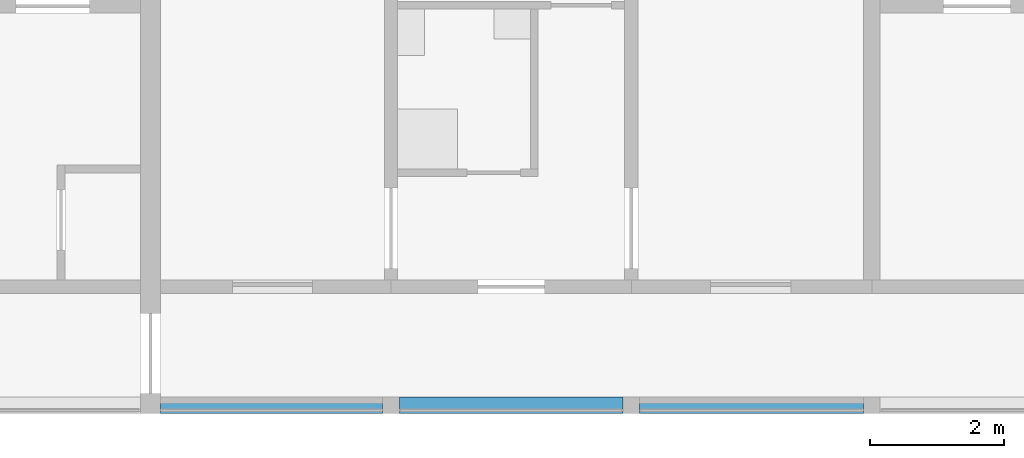
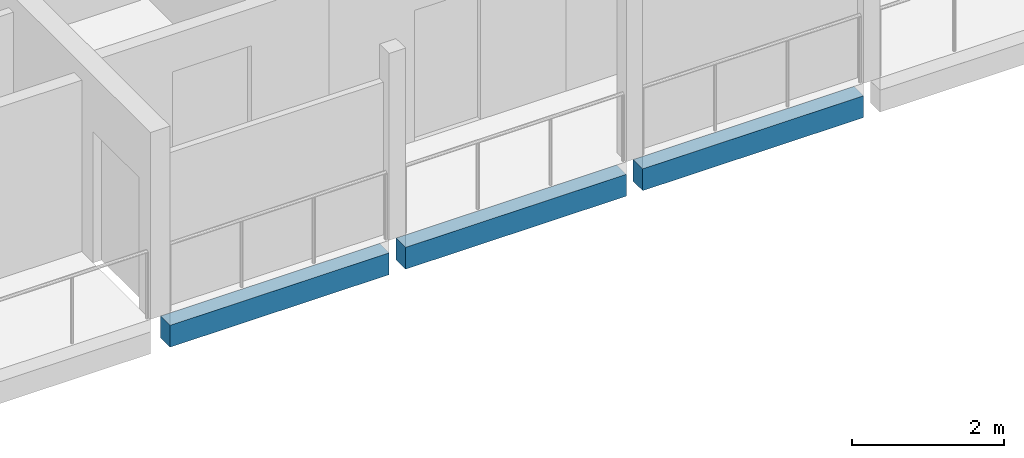
# One storey, part 8 of 55: 3 beams.
"""IFC4 building model written with IfcOpenShell, lengths in metres."""

import ifcopenshell
import ifcopenshell.guid

model = None  # the IFC model being written
_history = None  # IfcOwnerHistory: only IFC2X3 demands one
_inside = {}  # id of a spatial element -> (the spatial element, [elements in it])
_under = {}  # id of a project, library or spatial element -> (it, [spatial elements below it])
_declared = {}  # id of a project -> (the project, [libraries it declares])
_typed = {}  # id of a type object -> (the type object, [elements of that type])
_made_of = {}  # id of a material, layer set ... -> (it, [elements and type objects made of it])


def new_model(schema):
    """Start an empty IFC model of exactly this schema.

    Asked for "IFC4X3", IfcOpenShell would pick the latest addendum, in which some entities
    have other attributes; the version numbers below select the first issue.
    IFC2X3 requires an IfcOwnerHistory on every rooted entity: one is made here for all.
    """
    global model, _history
    if schema == "IFC4X3":
        model = ifcopenshell.file(schema_version=(4, 3, 0, 0))
    else:
        model = ifcopenshell.file(schema=schema)
    _inside.clear()
    _under.clear()
    _declared.clear()
    _typed.clear()
    _made_of.clear()
    _history = None
    if model.schema == "IFC2X3":
        org = make("IfcOrganization", Name="unknown")
        user = make(
            "IfcPersonAndOrganization",
            ThePerson=make("IfcPerson", FamilyName="unknown"),
            TheOrganization=org,
        )
        app = make(
            "IfcApplication",
            ApplicationDeveloper=org,
            Version="unknown",
            ApplicationFullName="unknown",
            ApplicationIdentifier="unknown",
        )
        _history = make(
            "IfcOwnerHistory",
            OwningUser=user,
            OwningApplication=app,
            ChangeAction="ADDED",
            CreationDate=0,
        )
    return model


def make(cls, **values):
    """One entity of the class cls with the attributes given. An attribute that is None is left unset."""
    return model.create_entity(
        cls, **{name: value for name, value in values.items() if value is not None}
    )


def rooted(cls, **values):
    """An entity with a GlobalId (a new one), such as an element, a storey or a relation."""
    return make(cls, GlobalId=ifcopenshell.guid.new(), OwnerHistory=_history, **values)


def si_unit(unit_type, name, prefix=None):
    """IfcSIUnit, for example si_unit("LENGTHUNIT", "METRE", prefix="MILLI")."""
    return make("IfcSIUnit", UnitType=unit_type, Prefix=prefix, Name=name)


def assignment(units):
    """IfcUnitAssignment: the units of a project."""
    return None if units is None else make("IfcUnitAssignment", Units=units)


def point(xyz):
    """IfcCartesianPoint."""
    return None if xyz is None else make("IfcCartesianPoint", Coordinates=xyz)


def direction(xyz):
    """IfcDirection."""
    return None if xyz is None else make("IfcDirection", DirectionRatios=xyz)


def frame(location, z_axis=None, x_axis=None):
    """IfcAxis2Placement3D, a coordinate frame: its origin and axes. An axis left out is left unset."""
    return make(
        "IfcAxis2Placement3D",
        Location=point(location),
        Axis=direction(z_axis),
        RefDirection=direction(x_axis),
    )


def frame_2d(location, x_axis=None):
    """IfcAxis2Placement2D, a coordinate frame in the plane: its origin and x axis."""
    return make(
        "IfcAxis2Placement2D", Location=point(location), RefDirection=direction(x_axis)
    )


def origin():
    """The frame at (0, 0, 0) with its axes left unset."""
    return frame((0.0, 0.0, 0.0))


def origin_2d():
    """The frame at (0, 0) in the plane with its x axis left unset."""
    return frame_2d((0.0, 0.0))


def place(relative_to, where):
    """IfcLocalPlacement: puts the frame where relative to a parent placement (None: the world)."""
    return make(
        "IfcLocalPlacement", PlacementRelTo=relative_to, RelativePlacement=where
    )


def context(
    kind, dimensions, precision=None, world=None, true_north=None, identifier=None
):
    """IfcGeometricRepresentationContext, for example the 3D "Model" context."""
    return make(
        "IfcGeometricRepresentationContext",
        ContextIdentifier=identifier,
        ContextType=kind,
        CoordinateSpaceDimension=dimensions,
        Precision=precision,
        WorldCoordinateSystem=world,
        TrueNorth=true_north,
    )


def subcontext(parent, identifier, kind, view, scale=None):
    """IfcGeometricRepresentationSubContext, for example "Body" below "Model"."""
    return make(
        "IfcGeometricRepresentationSubContext",
        ContextIdentifier=identifier,
        ContextType=kind,
        ParentContext=parent,
        TargetScale=scale,
        TargetView=view,
    )


def project(units=None, contexts=None):
    """IfcProject with its units and contexts."""
    return rooted(
        "IfcProject",
        Name="project",
        RepresentationContexts=contexts,
        UnitsInContext=assignment(units),
    )


def spatial(cls, under=None, at=None, **own):
    """A site, building, storey or space (cls), placed at a placement, below another one or the project."""
    s = rooted(cls, ObjectPlacement=at, **own)
    if under is not None:
        _under.setdefault(under.id(), (under, []))[1].append(s)
    return s


def profile(cls, at=None, kind="AREA", **sizes):
    """A parametric profile (cls). Its sizes go by their IFC names, for example OverallWidth=200.0."""
    return make(cls, ProfileType=kind, Position=at, **sizes)


def rectangle(**sizes):
    """IfcRectangleProfileDef."""
    return profile("IfcRectangleProfileDef", **sizes)


def extrude(swept, where, along, depth):
    """IfcExtrudedAreaSolid: the profile swept, set in the frame where, extruded along a direction by depth."""
    return make(
        "IfcExtrudedAreaSolid",
        SweptArea=swept,
        Position=where,
        ExtrudedDirection=direction(along),
        Depth=depth,
    )


def shape(context_of_items, identifier, shape_type, items):
    """IfcShapeRepresentation: the items that make up one representation, for example the "Body"."""
    return make(
        "IfcShapeRepresentation",
        ContextOfItems=context_of_items,
        RepresentationIdentifier=identifier,
        RepresentationType=shape_type,
        Items=items,
    )


def material(Name=None, Category=None):
    """IfcMaterial."""
    return make("IfcMaterial", Name=Name, Category=Category)


def material_profile(
    of_material, cross_section, Name=None, Category=None, Priority=None
):
    """IfcMaterialProfile: a cross section and its material."""
    return make(
        "IfcMaterialProfile",
        Name=Name,
        Material=of_material,
        Profile=cross_section,
        Priority=Priority,
        Category=Category,
    )


def profile_set(profiles, Name=None, composite=None):
    """IfcMaterialProfileSet."""
    return make(
        "IfcMaterialProfileSet",
        Name=Name,
        MaterialProfiles=profiles,
        CompositeProfile=composite,
    )


def made_of(thing, what):
    """Note that an element or type object is made of a material, layer set ...; save() writes the relation."""
    if what is not None:
        _made_of.setdefault(what.id(), (what, []))[1].append(thing)
    return thing


def type_object(cls, material=None, **own):
    """A type object (cls), such as IfcWallType, which elements share."""
    return made_of(rooted(cls, **own), material)


def element(
    cls,
    number,
    at=None,
    inside=None,
    cuts=None,
    type_object=None,
    material=None,
    context=None,
    identifier="Body",
    shape_type=None,
    held_by="IfcProductDefinitionShape",
    body=None,
    shapes=None,
    **own,
):
    """One element of the class cls, such as IfcWall. Its Tag is "e" and its number.

    at: its placement. inside: the storey or other place that contains it. cuts: it is an
    opening in that element (IfcRelVoidsElement). A single representation is given by context,
    identifier, shape_type and body (its items); several are given by shapes. held_by: the class
    of the entity that holds the representations. save() writes the other relations.
    """
    e = rooted(cls, Tag="e%d" % number, ObjectPlacement=at, **own)
    if body is not None:
        shapes = [shape(context, identifier, shape_type, body)]
    if shapes is not None:
        e.Representation = make(held_by, Representations=shapes)
    if inside is not None:
        _inside.setdefault(inside.id(), (inside, []))[1].append(e)
    if cuts is not None:
        rooted(
            "IfcRelVoidsElement", RelatingBuildingElement=cuts, RelatedOpeningElement=e
        )
    if type_object is not None:
        _typed.setdefault(type_object.id(), (type_object, []))[1].append(e)
    return made_of(e, material)


def aggregate(whole, parts):
    """IfcRelAggregates: a whole, such as a stair, and the parts it consists of."""
    return rooted("IfcRelAggregates", RelatingObject=whole, RelatedObjects=parts)


def save(model, path):
    """Write the relations noted so far, then the file.

    IfcRelAggregates (storeys below a building ...), IfcRelContainedInSpatialStructure (elements
    in a storey), IfcRelDefinesByType, IfcRelAssociatesMaterial and IfcRelDeclares: one each for
    every whole, place, type object, material and project.
    """
    for whole, parts in _under.values():
        aggregate(whole, parts)
    for where, things in _inside.values():
        rooted(
            "IfcRelContainedInSpatialStructure",
            RelatedElements=things,
            RelatingStructure=where,
        )
    for kind, things in _typed.values():
        rooted("IfcRelDefinesByType", RelatedObjects=things, RelatingType=kind)
    for what, things in _made_of.values():
        rooted("IfcRelAssociatesMaterial", RelatedObjects=things, RelatingMaterial=what)
    for by, libraries in _declared.values():
        rooted("IfcRelDeclares", RelatingContext=by, RelatedDefinitions=libraries)
    model.write(path)


model = new_model("IFC4")

# Units and contexts
model_context = context("Model", 3, precision=1e-05, world=origin(), true_north=direction((0.0, 1.0)))
body_context = subcontext(model_context, "Body", "Model", "MODEL_VIEW")
ifc_project = project(units=[si_unit("LENGTHUNIT", "METRE"), si_unit("AREAUNIT", "SQUARE_METRE"), si_unit("VOLUMEUNIT", "CUBIC_METRE"), si_unit("PLANEANGLEUNIT", "RADIAN"), si_unit("MASSUNIT", "GRAM", prefix="KILO")], contexts=[model_context])

# Site, building, storey
site_placement = place(None, origin())
site = spatial("IfcSite", under=ifc_project, at=site_placement, CompositionType="ELEMENT")
building_placement = place(site_placement, origin())
building = spatial("IfcBuilding", under=site, at=building_placement, Name="Ridgestep Commons", CompositionType="ELEMENT")
storey_placement = place(building_placement, frame((0.0, 0.0, 36.0)))
storey = spatial("IfcBuildingStorey", under=building, at=storey_placement, Name="L12", CompositionType="ELEMENT", Elevation=36.0)

# Beams
ifc_material = material(Name="Precast concrete C40/50", Category="concrete")
ifc_material_profile = material_profile(ifc_material, rectangle(XDim=0.25, YDim=0.35009765625, at=origin_2d()), Name="PC 250x350")
ifc_profile_set = profile_set([ifc_material_profile], Name="Precast concrete C40/50")
beam_type = type_object("IfcBeamType", Name="Loggia edge beam 250 x 350", PredefinedType="SPANDREL", material=ifc_profile_set)
beam_1_placement = place(storey_placement, frame((79.35009765625, 11.875, -0.375), z_axis=(1.0, 0.0, 0.0), x_axis=(0.0, 1.0, 0.0)))
element("IfcBeam", 1, at=beam_1_placement, inside=storey, type_object=beam_type, Name="Loggia edge beam A5T1 L12", PredefinedType="SPANDREL", context=body_context, shape_type="SweptSolid", body=[
    extrude(rectangle(XDim=0.25, YDim=0.35009765625, at=origin_2d()), origin(), (0.0, 0.0, 1.0), 3.324951171875),
])
beam_2_placement = place(storey_placement, frame((82.925048828125, 11.875, -0.375), z_axis=(1.0, 0.0, 0.0), x_axis=(0.0, 1.0, 0.0)))
element("IfcBeam", 2, at=beam_2_placement, inside=storey, type_object=beam_type, Name="Loggia edge beam A5T2 L12", PredefinedType="SPANDREL", context=body_context, shape_type="SweptSolid", body=[
    extrude(rectangle(XDim=0.25, YDim=0.35009765625, at=origin_2d()), origin(), (0.0, 0.0, 1.0), 3.349853515625),
])
beam_3_placement = place(storey_placement, frame((86.52490234375, 11.875, -0.375), z_axis=(1.0, 0.0, 0.0), x_axis=(0.0, 1.0, 0.0)))
element("IfcBeam", 3, at=beam_3_placement, inside=storey, type_object=beam_type, Name="Loggia edge beam A5T3 L12", PredefinedType="SPANDREL", context=body_context, shape_type="SweptSolid", body=[
    extrude(rectangle(XDim=0.25, YDim=0.35009765625, at=origin_2d()), origin(), (0.0, 0.0, 1.0), 3.35009765625),
])

save(model, "model.ifc")
